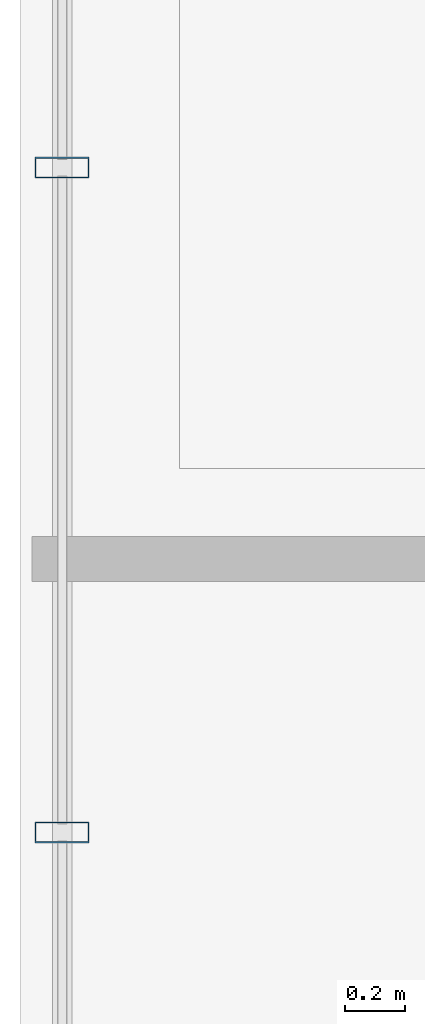
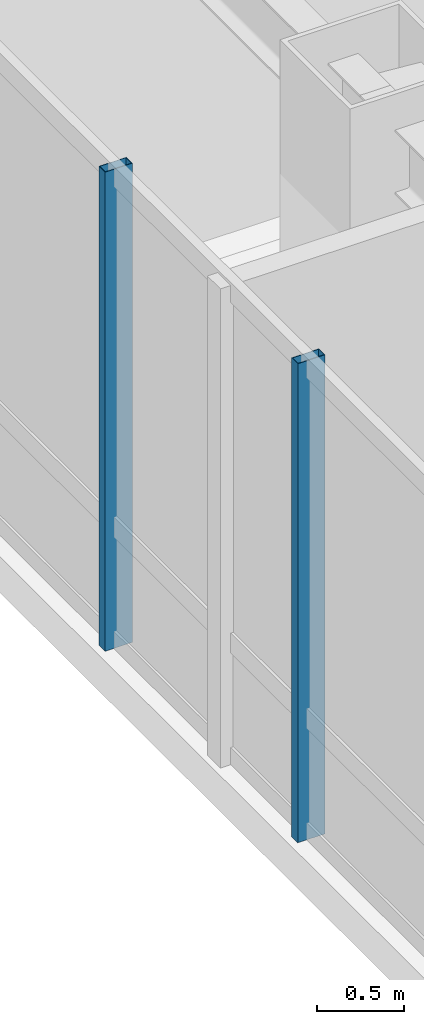
# One storey, part 6 of 29: 2 members, 1 element without a shape of its own.
"""IFC4 building model written with IfcOpenShell, lengths in metres."""

from ifc_helpers import new_model, si_unit, direction, frame, origin, origin_2d, place, context, subcontext, project, spatial, hollow_rectangle, extrude, material, layer, layer_set, material_profile, profile_set, type_object, element, aggregate, save


model = new_model("IFC4")

# Units and contexts
model_context = context("Model", 3, precision=1e-05, world=origin(), true_north=direction((0.0, 1.0)))
body_context = subcontext(model_context, "Body", "Model", "MODEL_VIEW")
ifc_project = project(units=[si_unit("LENGTHUNIT", "METRE"), si_unit("AREAUNIT", "SQUARE_METRE"), si_unit("VOLUMEUNIT", "CUBIC_METRE"), si_unit("PLANEANGLEUNIT", "RADIAN"), si_unit("MASSUNIT", "GRAM", prefix="KILO")], contexts=[model_context])

# Site, building, storey
site_placement = place(None, origin())
site = spatial("IfcSite", under=ifc_project, at=site_placement, CompositionType="ELEMENT")
building_placement = place(site_placement, origin())
building = spatial("IfcBuilding", under=site, at=building_placement, Name="Hatsunagi Terrace Concourse", CompositionType="ELEMENT")
storey_placement = place(building_placement, frame((0.0, 0.0, 149.25)))
storey = spatial("IfcBuildingStorey", under=building, at=storey_placement, Name="L39", CompositionType="ELEMENT", Elevation=149.25)

# Curtain wall, members
ifc_material_1 = material(Name="Anodised Aluminium Alloy 6063-T5", Category="aluminium")
ifc_layer = layer(ifc_material_1, 0.199951171875)
ifc_layer_set = layer_set([ifc_layer], Name="OfficeZone1_CW03")
curtain_wall_type = type_object("IfcCurtainWallType", Name="OfficeZone1_CW03", PredefinedType="NOTDEFINED", material=ifc_layer_set)
curtain_wall_placement = place(storey_placement, origin())
curtain_wall = element("IfcCurtainWall", 1, at=curtain_wall_placement, inside=storey, type_object=curtain_wall_type, Name="Unitised Curtain Wall CW-03 CW-L39-09", PredefinedType="NOTDEFINED")
ifc_material_2 = material(Name="Anodised Aluminium Alloy 6063-T5", Category="aluminium")
ifc_material_profile = material_profile(ifc_material_2, hollow_rectangle(XDim=0.070068359375, YDim=0.179931640625, WallThickness=0.00390625, at=origin_2d()), Name="ALU-MUL-180x70x4")
ifc_profile_set = profile_set([ifc_material_profile], Name="Anodised Aluminium Alloy 6063-T5")
member_type = type_object("IfcMemberType", Name="CurtainWallMullion_180x70", PredefinedType="MULLION", material=ifc_profile_set)
member_1_placement = place(storey_placement, frame((9.739990234375, 34.69189453125, 0.0), z_axis=(0.0, 0.0, 1.0), x_axis=(0.0, 1.0, 0.0)))
member_1 = element("IfcMember", 2, at=member_1_placement, type_object=member_type, Name="Curtain Wall Mullion MUL-02", PredefinedType="MULLION", context=body_context, shape_type="SweptSolid", body=[
    extrude(hollow_rectangle(XDim=0.070068359375, YDim=0.179931640625, WallThickness=0.00390625, at=origin_2d()), origin(), (0.0, 0.0, 1.0), 3.35009765625),
])
member_2_placement = place(storey_placement, frame((9.739990234375, 36.89990234375, 0.0), z_axis=(0.0, 0.0, 1.0), x_axis=(0.0, 1.0, 0.0)))
member_2 = element("IfcMember", 3, at=member_2_placement, type_object=member_type, Name="Curtain Wall Mullion MUL-02", PredefinedType="MULLION", context=body_context, shape_type="SweptSolid", body=[
    extrude(hollow_rectangle(XDim=0.070068359375, YDim=0.179931640625, WallThickness=0.00390625, at=origin_2d()), origin(), (0.0, 0.0, 1.0), 3.35009765625),
])
aggregate(curtain_wall, [member_1, member_2])

save(model, "model.ifc")
